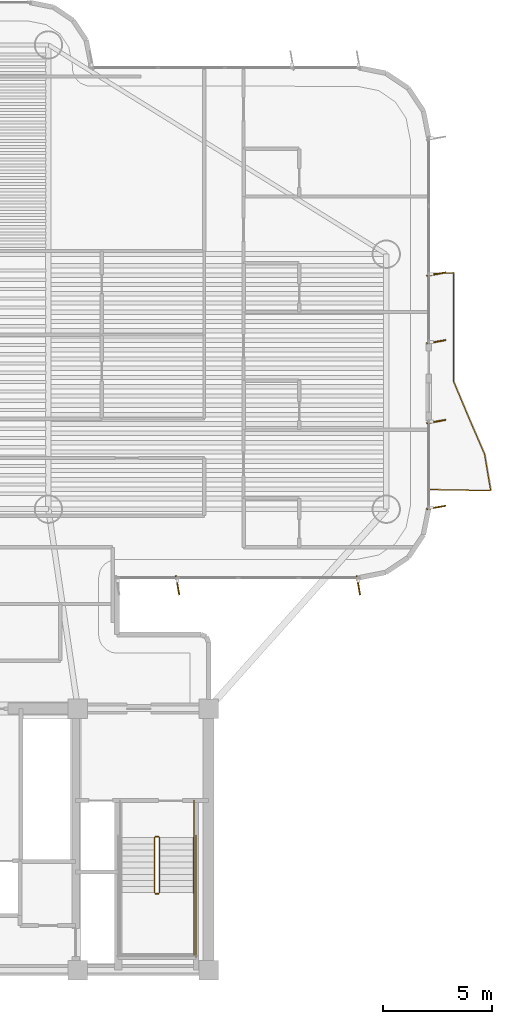
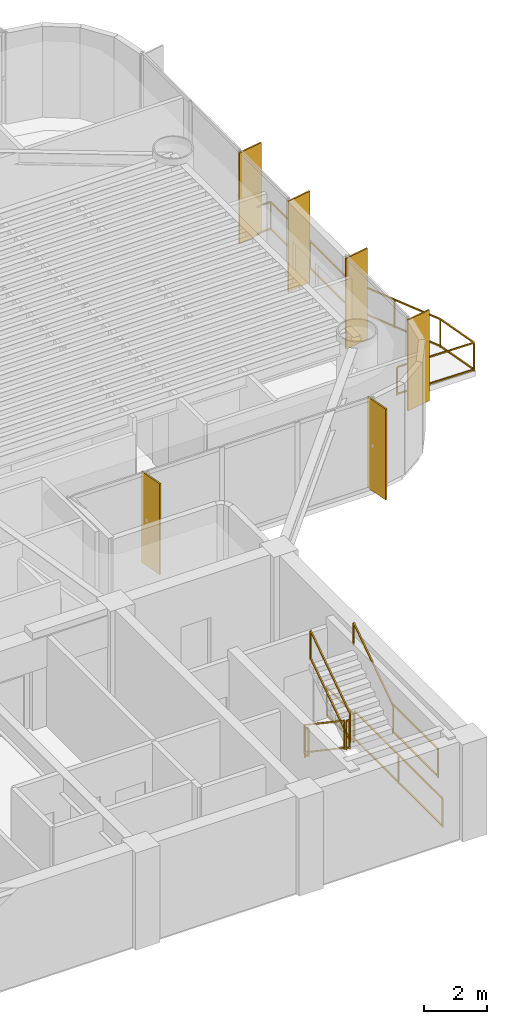
# One storey, part 16 of 17: 9 railings, 6 shading devices.
"""IFC4 building model written with IfcOpenShell, lengths in metres."""

from ifc_helpers import new_model, si_unit, direction, frame, origin, origin_2d, place, context, subcontext, project, spatial, rectangle, extrude, source, transform, mapped, material, layer, layer_set, material_profile, profile_set, type_object, element, save


model = new_model("IFC4")

# Units and contexts
model_context = context("Model", 3, precision=1e-05, world=origin(), true_north=direction((0.0, 1.0)))
body_context = subcontext(model_context, "Body", "Model", "MODEL_VIEW")
ifc_project = project(units=[si_unit("LENGTHUNIT", "METRE"), si_unit("AREAUNIT", "SQUARE_METRE"), si_unit("VOLUMEUNIT", "CUBIC_METRE"), si_unit("PLANEANGLEUNIT", "RADIAN"), si_unit("MASSUNIT", "GRAM", prefix="KILO")], contexts=[model_context])

# Site, building, storey
site_placement = place(None, origin())
site = spatial("IfcSite", under=ifc_project, at=site_placement, CompositionType="ELEMENT")
building_placement = place(site_placement, origin())
building = spatial("IfcBuilding", under=site, at=building_placement, Name="Brelvock Crest Care Tower", CompositionType="ELEMENT")
storey_placement = place(building_placement, frame((0.0, 0.0, 135.179931640625)))
storey = spatial("IfcBuildingStorey", under=building, at=storey_placement, Name="L34", CompositionType="ELEMENT", Elevation=135.179931640625)

# Railings
ifc_material_1 = material(Name="Dark Glass Double Glazed Low-E", Category="glass")
ifc_layer_1 = layer(ifc_material_1, 0.06005859375, Name="RL-BAL1")
ifc_layer_set_1 = layer_set([ifc_layer_1], Name="Dark Glass Double Glazed Low-E")
railing_type_1 = type_object("IfcRailingType", Name="RL-BAL1", PredefinedType="BALUSTRADE", material=ifc_layer_set_1)
railing_1_placement = place(storey_placement, frame((58.139892578125, 28.050048828125, 0.004150390625)))
element("IfcRailing", 1, at=railing_1_placement, inside=storey, type_object=railing_type_1, Name="L34 Safety Balustrade WB-E", PredefinedType="BALUSTRADE", context=body_context, shape_type="SweptSolid", body=[
    extrude(rectangle(XDim=0.048095703125, YDim=0.048095703125, at=origin_2d()), frame((0.001953125, 0.0, 1.09619140625), z_axis=(0.999840293507, -0.017871415134, 0.0), x_axis=(0.017871415134, 0.999840293507, 0.0)), (0.0, 0.0, 1.0), 2.79638671875),
    extrude(rectangle(XDim=0.048095703125, YDim=0.048095703125, at=origin_2d()), frame((0.001953125, 0.0, 0.054931640625), z_axis=(0.999840293507, -0.017871415134, 0.0), x_axis=(0.017871415134, 0.999840293507, 0.0)), (0.0, 0.0, 1.0), 2.79638671875),
    extrude(rectangle(XDim=0.048095703125, YDim=0.048095703125, at=origin_2d()), frame((2.7998046875, -0.048095703125, 1.09619140625), z_axis=(-0.165125179616, 0.986272617006, 0.0), x_axis=(-0.986272617006, -0.165125179616, 0.0)), (0.0, 0.0, 1.0), 1.68603515625),
    extrude(rectangle(XDim=0.048095703125, YDim=0.048095703125, at=origin_2d()), frame((2.7998046875, -0.048095703125, 0.054931640625), z_axis=(-0.165125179616, 0.986272617006, 0.0), x_axis=(-0.986272617006, -0.165125179616, 0.0)), (0.0, 0.0, 1.0), 1.68603515625),
    extrude(rectangle(XDim=0.048095703125, YDim=0.048095703125, at=origin_2d()), frame((2.520263671875, 1.61865234375, 1.09619140625), z_axis=(-0.39727539454, 0.917699439301, 0.0), x_axis=(-0.917699439301, -0.39727539454, 0.0)), (0.0, 0.0, 1.0), 1.81201171875),
    extrude(rectangle(XDim=0.048095703125, YDim=0.048095703125, at=origin_2d()), frame((2.520263671875, 1.61865234375, 0.054931640625), z_axis=(-0.39727539454, 0.917699439301, 0.0), x_axis=(-0.917699439301, -0.39727539454, 0.0)), (0.0, 0.0, 1.0), 1.81201171875),
    extrude(rectangle(XDim=0.048095703125, YDim=0.048095703125, at=origin_2d()), frame((1.798828125, 3.28515625, 1.09619140625), z_axis=(-0.386963805718, 0.922094904586, 0.0), x_axis=(-0.922094904586, -0.386963805718, 0.0)), (0.0, 0.0, 1.0), 1.803466796875),
    extrude(rectangle(XDim=0.048095703125, YDim=0.048095703125, at=origin_2d()), frame((1.798828125, 3.28515625, 0.054931640625), z_axis=(-0.386963805718, 0.922094904586, 0.0), x_axis=(-0.922094904586, -0.386963805718, 0.0)), (0.0, 0.0, 1.0), 1.803466796875),
    extrude(rectangle(XDim=0.048095703125, YDim=0.048095703125, at=origin_2d()), frame((1.10009765625, 4.951904296875, 1.09619140625), z_axis=(0.0, 1.0, 0.0), x_axis=(-1.0, 0.0, 0.0)), (0.0, 0.0, 1.0), 4.99609375),
    extrude(rectangle(XDim=0.048095703125, YDim=0.048095703125, at=origin_2d()), frame((1.10009765625, 4.951904296875, 0.054931640625), z_axis=(0.0, 1.0, 0.0), x_axis=(-1.0, 0.0, 0.0)), (0.0, 0.0, 1.0), 4.99609375),
    extrude(rectangle(XDim=0.048095703125, YDim=0.048095703125, at=origin_2d()), frame((1.09814453125, 9.949951171875, 1.09619140625), z_axis=(-0.998966710972, -0.045447886318, 0.0), x_axis=(0.045447886318, -0.998966710972, 0.0)), (0.0, 0.0, 1.0), 1.09716796875),
    extrude(rectangle(XDim=0.048095703125, YDim=0.048095703125, at=origin_2d()), frame((1.09814453125, 9.949951171875, 0.054931640625), z_axis=(-0.998966710972, -0.045447886318, 0.0), x_axis=(0.045447886318, -0.998966710972, 0.0)), (0.0, 0.0, 1.0), 1.09716796875),
    extrude(rectangle(XDim=0.0419921875, YDim=0.0419921875, at=origin_2d()), origin(), (0.0, 0.0, 1.0), 1.070068359375),
    extrude(rectangle(XDim=0.0419921875, YDim=0.0419921875, at=origin_2d()), frame((2.800048828125, -0.050048828125, 0.0)), (0.0, 0.0, 1.0), 1.070068359375),
    extrude(rectangle(XDim=0.0419921875, YDim=0.0419921875, at=origin_2d()), frame((2.52099609375, 1.61669921875, 0.0)), (0.0, 0.0, 1.0), 1.070068359375),
    extrude(rectangle(XDim=0.0419921875, YDim=0.0419921875, at=origin_2d()), frame((1.799560546875, 3.283203125, 0.0)), (0.0, 0.0, 1.0), 1.070068359375),
    extrude(rectangle(XDim=0.0419921875, YDim=0.0419921875, at=origin_2d()), frame((1.10009765625, 4.949951171875, 0.0)), (0.0, 0.0, 1.0), 1.070068359375),
    extrude(rectangle(XDim=0.0419921875, YDim=0.0419921875, at=origin_2d()), frame((1.10009765625, 7.449951171875, 0.0)), (0.0, 0.0, 1.0), 1.070068359375),
    extrude(rectangle(XDim=0.0419921875, YDim=0.0419921875, at=origin_2d()), frame((1.10009765625, 9.949951171875, 0.0)), (0.0, 0.0, 1.0), 1.070068359375),
    extrude(rectangle(XDim=0.0419921875, YDim=0.0419921875, at=origin_2d()), frame((0.0, 9.89990234375, 0.0)), (0.0, 0.0, 1.0), 1.070068359375),
])
ifc_material_2 = material(Name="Steel Grade 350", Category="steel")
ifc_layer_2 = layer(ifc_material_2, 0.050048828125, Name="RL-STG1")
ifc_layer_set_2 = layer_set([ifc_layer_2], Name="Steel Grade 350")
railing_type_2 = type_object("IfcRailingType", Name="RL-STG1", PredefinedType="GUARDRAIL", material=ifc_layer_set_2)
railing_2_placement = place(storey_placement, frame((45.52001953125, 12.080078125, 0.18896484375)))
element("IfcRailing", 2, at=railing_2_placement, inside=storey, type_object=railing_type_2, Name="L34 ST-2 stair guard 1", PredefinedType="GUARDRAIL", context=body_context, shape_type="SweptSolid", body=[
    extrude(rectangle(XDim=0.048095703125, YDim=0.048095703125, at=origin_2d()), frame((0.0, -0.001708984375, 1.116943359375), z_axis=(0.0, -0.82882447046, 0.559508710537), x_axis=(1.0, 0.0, 0.0)), (0.0, 0.0, 1.0), 3.036376953125),
    extrude(rectangle(XDim=0.048095703125, YDim=0.048095703125, at=origin_2d()), frame((0.0, -0.001708984375, 0.05615234375), z_axis=(0.0, -0.82882447046, 0.559508710537), x_axis=(1.0, 0.0, 0.0)), (0.0, 0.0, 1.0), 3.036376953125),
    extrude(rectangle(XDim=0.0419921875, YDim=0.0419921875, at=origin_2d()), origin(), (0.0, 0.0, 1.0), 1.08984375),
    extrude(rectangle(XDim=0.0419921875, YDim=0.0419921875, at=origin_2d()), frame((0.0, -2.52001953125, 1.701171875)), (0.0, 0.0, 1.0), 1.08984375),
])
railing_3_placement = place(storey_placement, frame((45.570068359375, 9.510009765625, 1.89013671875)))
element("IfcRailing", 3, at=railing_3_placement, inside=storey, type_object=railing_type_2, Name="L34 ST-2 stair guard 2", PredefinedType="GUARDRAIL", context=body_context, shape_type="SweptSolid", body=[
    extrude(rectangle(XDim=0.048095703125, YDim=0.048095703125, at=origin_2d()), frame((0.001953125, 0.0, 1.11572265625), z_axis=(1.0, 0.0, 0.0), x_axis=(0.0, 1.0, 0.0)), (0.0, 0.0, 1.0), 0.115966796875),
    extrude(rectangle(XDim=0.048095703125, YDim=0.048095703125, at=origin_2d()), frame((0.001953125, 0.0, 0.054931640625), z_axis=(1.0, 0.0, 0.0), x_axis=(0.0, 1.0, 0.0)), (0.0, 0.0, 1.0), 0.115966796875),
    extrude(rectangle(XDim=0.0419921875, YDim=0.0419921875, at=origin_2d()), origin(), (0.0, 0.0, 1.0), 1.08984375),
    extrude(rectangle(XDim=0.0419921875, YDim=0.0419921875, at=origin_2d()), frame((0.119873046875, 0.0, 0.0)), (0.0, 0.0, 1.0), 1.08984375),
])
railing_4_placement = place(storey_placement, frame((47.320068359375, 9.56005859375, 1.89013671875)))
element("IfcRailing", 4, at=railing_4_placement, inside=storey, type_object=railing_type_2, Name="L34 ST-2 stair guard 4", PredefinedType="GUARDRAIL", context=body_context, shape_type="SweptSolid", body=[
    extrude(rectangle(XDim=0.048095703125, YDim=0.048095703125, at=origin_2d()), frame((0.0, -0.001953125, 1.11572265625), z_axis=(0.0, -1.0, 0.0), x_axis=(1.0, 0.0, 0.0)), (0.0, 0.0, 1.0), 2.856201171875),
    extrude(rectangle(XDim=0.048095703125, YDim=0.048095703125, at=origin_2d()), frame((0.0, -0.001953125, 0.054931640625), z_axis=(0.0, -1.0, 0.0), x_axis=(1.0, 0.0, 0.0)), (0.0, 0.0, 1.0), 2.856201171875),
    extrude(rectangle(XDim=0.0419921875, YDim=0.0419921875, at=origin_2d()), origin(), (0.0, 0.0, 1.0), 1.08984375),
    extrude(rectangle(XDim=0.0419921875, YDim=0.0419921875, at=origin_2d()), frame((0.0, -2.860107421875, 0.0)), (0.0, 0.0, 1.0), 1.08984375),
])
railing_5_placement = place(storey_placement, frame((45.739990234375, 9.56005859375, 2.0791015625)))
element("IfcRailing", 5, at=railing_5_placement, inside=storey, type_object=railing_type_2, Name="L34 ST-2 stair guard 6", PredefinedType="GUARDRAIL", context=body_context, shape_type="SweptSolid", body=[
    extrude(rectangle(XDim=0.048095703125, YDim=0.048095703125, at=origin_2d()), frame((0.0, 0.001708984375, 1.116943359375), z_axis=(0.0, 0.828861706735, 0.559453546873), x_axis=(-1.0, 0.0, 0.0)), (0.0, 0.0, 1.0), 3.036376953125),
    extrude(rectangle(XDim=0.048095703125, YDim=0.048095703125, at=origin_2d()), frame((0.0, 0.001708984375, 0.05615234375), z_axis=(0.0, 0.828861706735, 0.559453546873), x_axis=(-1.0, 0.0, 0.0)), (0.0, 0.0, 1.0), 3.036376953125),
    extrude(rectangle(XDim=0.0419921875, YDim=0.0419921875, at=origin_2d()), origin(), (0.0, 0.0, 1.0), 1.08984375),
    extrude(rectangle(XDim=0.0419921875, YDim=0.0419921875, at=origin_2d()), frame((0.0, 2.52001953125, 1.700927734375)), (0.0, 0.0, 1.0), 1.08984375),
])
railing_6_placement = place(storey_placement, frame((45.570068359375, 12.1298828125, 0.0)))
element("IfcRailing", 6, at=railing_6_placement, inside=storey, type_object=railing_type_2, Name="L34 ST-2 stair guard 7", PredefinedType="GUARDRAIL", context=body_context, shape_type="SweptSolid", body=[
    extrude(rectangle(XDim=0.048095703125, YDim=0.048095703125, at=origin_2d()), frame((0.001953125, 0.0, 1.11572265625), z_axis=(1.0, 0.0, 0.0), x_axis=(0.0, 1.0, 0.0)), (0.0, 0.0, 1.0), 0.115966796875),
    extrude(rectangle(XDim=0.048095703125, YDim=0.048095703125, at=origin_2d()), frame((0.001953125, 0.0, 0.054931640625), z_axis=(1.0, 0.0, 0.0), x_axis=(0.0, 1.0, 0.0)), (0.0, 0.0, 1.0), 0.115966796875),
    extrude(rectangle(XDim=0.0419921875, YDim=0.0419921875, at=origin_2d()), origin(), (0.0, 0.0, 1.0), 1.08984375),
    extrude(rectangle(XDim=0.0419921875, YDim=0.0419921875, at=origin_2d()), frame((0.119873046875, 0.0, 0.0)), (0.0, 0.0, 1.0), 1.08984375),
])
railing_7_placement = place(storey_placement, frame((47.320068359375, 13.780029296875, 0.0)))
element("IfcRailing", 7, at=railing_7_placement, inside=storey, type_object=railing_type_2, Name="L34 ST-2 stair guard 9", PredefinedType="GUARDRAIL", context=body_context, shape_type="SweptSolid", body=[
    extrude(rectangle(XDim=0.048095703125, YDim=0.048095703125, at=origin_2d()), frame((0.0, -0.001953125, 1.11572265625), z_axis=(0.0, -1.0, 0.0), x_axis=(1.0, 0.0, 0.0)), (0.0, 0.0, 1.0), 1.696044921875),
    extrude(rectangle(XDim=0.048095703125, YDim=0.048095703125, at=origin_2d()), frame((0.0, -0.001953125, 0.054931640625), z_axis=(0.0, -1.0, 0.0), x_axis=(1.0, 0.0, 0.0)), (0.0, 0.0, 1.0), 1.696044921875),
    extrude(rectangle(XDim=0.0419921875, YDim=0.0419921875, at=origin_2d()), origin(), (0.0, 0.0, 1.0), 1.08984375),
    extrude(rectangle(XDim=0.0419921875, YDim=0.0419921875, at=origin_2d()), frame((0.0, -1.699951171875, 0.0)), (0.0, 0.0, 1.0), 1.08984375),
])
railing_8_placement = place(storey_placement, frame((47.419921875, 12.179931640625, 0.0)))
element("IfcRailing", 8, at=railing_8_placement, inside=storey, type_object=railing_type_2, Name="L34 ST-2 stair guard 11", PredefinedType="GUARDRAIL", context=body_context, shape_type="SweptSolid", body=[
    extrude(rectangle(XDim=0.048095703125, YDim=0.048095703125, at=origin_2d()), frame((0.0, -0.001953125, 1.11572265625), z_axis=(0.0, -1.0, 0.0), x_axis=(1.0, 0.0, 0.0)), (0.0, 0.0, 1.0), 5.575927734375),
    extrude(rectangle(XDim=0.048095703125, YDim=0.048095703125, at=origin_2d()), frame((0.0, -0.001953125, 0.054931640625), z_axis=(0.0, -1.0, 0.0), x_axis=(1.0, 0.0, 0.0)), (0.0, 0.0, 1.0), 5.575927734375),
    extrude(rectangle(XDim=0.0419921875, YDim=0.0419921875, at=origin_2d()), origin(), (0.0, 0.0, 1.0), 1.08984375),
    extrude(rectangle(XDim=0.0419921875, YDim=0.0419921875, at=origin_2d()), frame((0.0, -2.7900390625, 0.0)), (0.0, 0.0, 1.0), 1.08984375),
    extrude(rectangle(XDim=0.0419921875, YDim=0.0419921875, at=origin_2d()), frame((0.0, -5.579833984375, 0.0)), (0.0, 0.0, 1.0), 1.08984375),
])
ifc_layer_3 = layer(ifc_material_2, 0.048095703125, Name="RL-STH1")
ifc_layer_set_3 = layer_set([ifc_layer_3], Name="Steel Grade 350")
railing_type_3 = type_object("IfcRailingType", Name="RL-STH1", PredefinedType="HANDRAIL", material=ifc_layer_set_3)
railing_9_placement = place(storey_placement, frame((47.320068359375, 9.56005859375, 2.0791015625)))
element("IfcRailing", 9, at=railing_9_placement, inside=storey, type_object=railing_type_3, Name="L34 ST-2 stair handrail 2", PredefinedType="HANDRAIL", context=body_context, shape_type="SweptSolid", body=[
    extrude(rectangle(XDim=0.048095703125, YDim=0.048095703125, at=origin_2d()), frame((0.0, 0.001708984375, 0.876953125), z_axis=(0.0, 0.828861706735, 0.559453546873), x_axis=(-1.0, 0.0, 0.0)), (0.0, 0.0, 1.0), 3.036376953125),
    extrude(rectangle(XDim=0.0419921875, YDim=0.0419921875, at=origin_2d()), origin(), (0.0, 0.0, 1.0), 0.849853515625),
    extrude(rectangle(XDim=0.0419921875, YDim=0.0419921875, at=origin_2d()), frame((0.0, 2.52001953125, 1.700927734375)), (0.0, 0.0, 1.0), 0.849853515625),
])

# Shading devices
ifc_material_3 = material(Name="Aluminium 6063-T6", Category="aluminium")
ifc_material_profile = material_profile(ifc_material_3, rectangle(XDim=0.054931640625, YDim=0.89990234375, at=origin_2d()), Name="FIN55x900")
ifc_profile_set = profile_set([ifc_material_profile], Name="Aluminium 6063-T6")
shading_device_type = type_object("IfcShadingDeviceType", Name="SHD-FIN1", PredefinedType="USERDEFINED", material=ifc_profile_set)
shared_shape = source(origin(), body_context, "Body", "SweptSolid", [
    extrude(rectangle(XDim=0.054931640625, YDim=0.89990234375, at=origin_2d()), origin(), (0.0, 0.0, 1.0), 3.530029296875),
])
for number, where, z_axis, x_axis, name in (
    (10, (58.43994140625, 37.933349609375, 0.0), (0.0, 0.0, 1.0), (0.173648177667, -0.984807753012, 0.0), "L34 Vertical Sunshade Fin E39A-03"),
    (11, (58.43994140625, 34.830078125, 0.0), (0.0, 0.0, 1.0), (0.173648177667, -0.984807753012, 0.0), "L34 Vertical Sunshade Fin E39A-04"),
    (12, (58.43994140625, 31.169921875, 0.0), (0.0, 0.0, 1.0), (0.173648177667, -0.984807753012, 0.0), "L34 Vertical Sunshade Fin E39B-01"),
    (13, (58.43994140625, 27.22998046875, 0.0), (0.0, 0.0, 1.0), (0.173648177667, -0.984807753012, 0.0), "L34 Vertical Sunshade Fin E39B-02"),
    (14, (54.8701171875, 23.659912109375, 0.0), (0.0, 0.0, 1.0), (-0.984807753012, -0.173648177667, 0.0), "L34 Vertical Sunshade Fin E44-01"),
    (15, (46.574951171875, 23.659912109375, 0.0), (0.0, 0.0, 1.0), (-0.984807753012, -0.173648177667, 0.0), "L34 Vertical Sunshade Fin E44-04"),
):
    element("IfcShadingDevice", number, at=place(storey_placement, frame(where, z_axis=z_axis, x_axis=x_axis)), inside=storey, type_object=shading_device_type, Name=name, ObjectType="FIN", PredefinedType="USERDEFINED", context=body_context, shape_type="MappedRepresentation", body=[
        mapped(shared_shape, transform((0.0, 0.0, 0.0), x_axis=(1.0, 0.0, 0.0), y_axis=(0.0, 1.0, 0.0), z_axis=(0.0, 0.0, 1.0), scale=1.0)),
    ])

save(model, "model.ifc")
